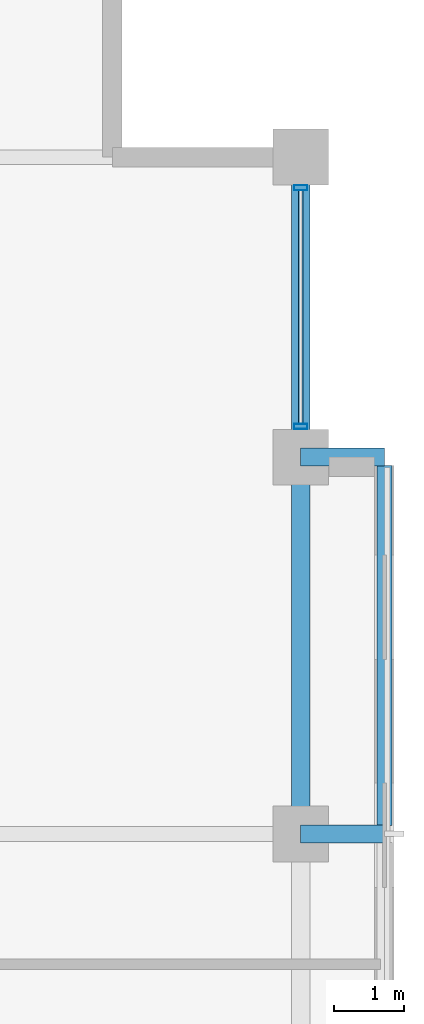
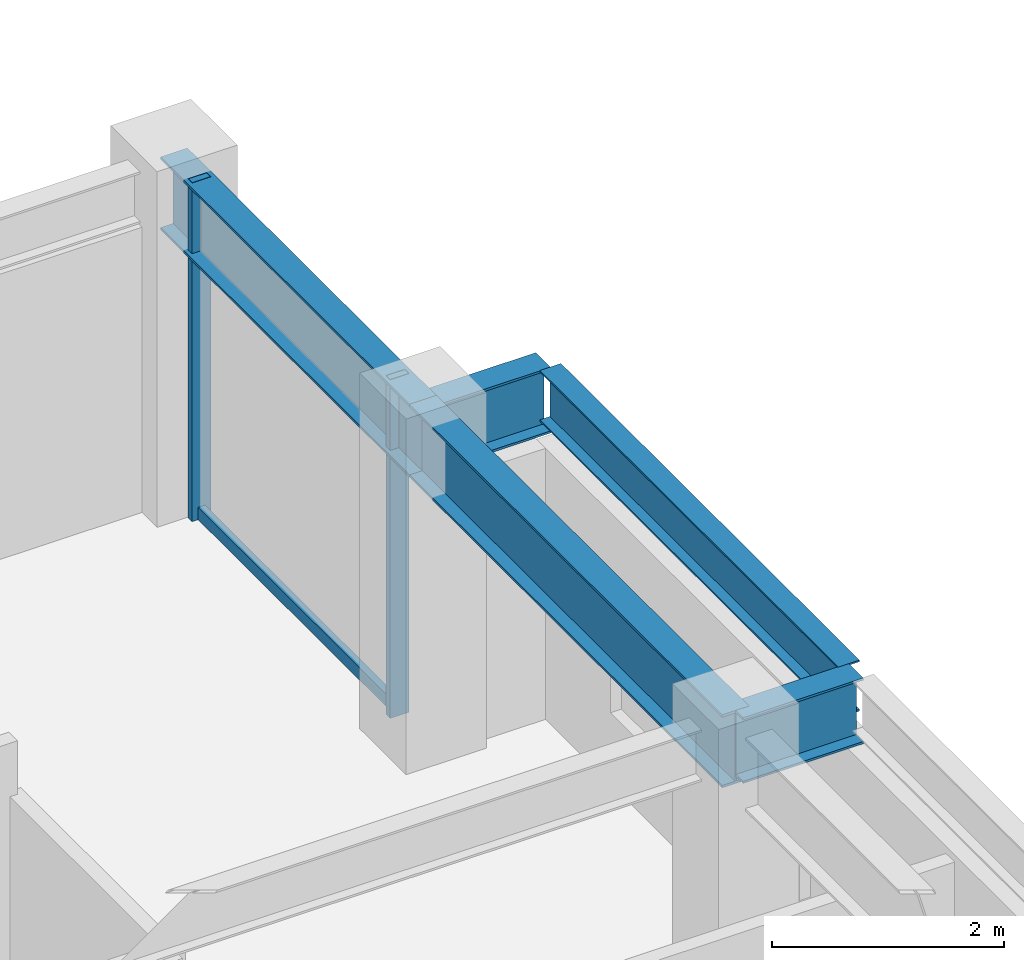
# One storey, part 22 of 30: 5 beams, 3 members, 1 element without a shape of its own.
"""IFC4 building model written with IfcOpenShell, lengths in metres."""

from ifc_helpers import new_model, si_unit, direction, frame, origin, origin_2d, place, context, subcontext, project, spatial, hollow_rectangle, i_section, extrude, material, layer, layer_set, material_profile, profile_set, type_object, element, aggregate, save


model = new_model("IFC4")

# Units and contexts
model_context = context("Model", 3, precision=1e-05, world=origin(), true_north=direction((0.0, 1.0)))
body_context = subcontext(model_context, "Body", "Model", "MODEL_VIEW")
ifc_project = project(units=[si_unit("LENGTHUNIT", "METRE"), si_unit("AREAUNIT", "SQUARE_METRE"), si_unit("VOLUMEUNIT", "CUBIC_METRE"), si_unit("PLANEANGLEUNIT", "RADIAN"), si_unit("MASSUNIT", "GRAM", prefix="KILO")], contexts=[model_context])

# Site, building, storey
site_placement = place(None, origin())
site = spatial("IfcSite", under=ifc_project, at=site_placement, CompositionType="ELEMENT")
building_placement = place(site_placement, origin())
building = spatial("IfcBuilding", under=site, at=building_placement, Name="Surkhivell Harbour Commons", CompositionType="ELEMENT")
storey_placement = place(building_placement, frame((0.0, 0.0, 231.0)))
storey = spatial("IfcBuildingStorey", under=building, at=storey_placement, Name="L60", CompositionType="ELEMENT", Elevation=231.0)

# Beams
ifc_material_1 = material(Name="Steel S460", Category="steel")
ifc_material_profile_1 = material_profile(ifc_material_1, i_section(OverallWidth=0.256103515625, OverallDepth=0.693115234375, WebThickness=0.014404296875, FlangeThickness=0.023681640625, at=origin_2d()), Name="UB686x254x170")
ifc_profile_set_1 = profile_set([ifc_material_profile_1], Name="Steel S460")
beam_type_1 = type_object("IfcBeamType", Name="BM-CNT-686", PredefinedType="BEAM", material=ifc_profile_set_1)
for number, where, z_axis, x_axis, name in (
    (1, (21.60009765625, 10.800048828125, 3.223388671875), (1.0, 0.0, 0.0), (0.0, 1.0, 0.0), "L60 Box Cantilever Outrigger (21.6,10.8)"),
    (2, (21.60009765625, 16.199951171875, 3.223388671875), (1.0, 0.0, 0.0), (0.0, 1.0, 0.0), "L60 Box Cantilever Outrigger (21.6,16.2)"),
):
    element("IfcBeam", number, at=place(storey_placement, frame(where, z_axis=z_axis, x_axis=x_axis)), inside=storey, type_object=beam_type_1, Name=name, PredefinedType="BEAM", context=body_context, shape_type="SweptSolid", body=[
        extrude(i_section(OverallWidth=0.256103515625, OverallDepth=0.693115234375, WebThickness=0.014404296875, FlangeThickness=0.023681640625, at=origin_2d()), origin(), (0.0, 0.0, 1.0), 1.199951171875),
    ])
ifc_material_2 = material(Name="Steel S355", Category="steel")
ifc_material_profile_2 = material_profile(ifc_material_2, i_section(OverallWidth=0.2099609375, OverallDepth=0.537109375, WebThickness=0.0107421875, FlangeThickness=0.017333984375, at=origin_2d()), Name="UB533x210x101")
ifc_profile_set_2 = profile_set([ifc_material_profile_2], Name="Steel S355")
beam_type_2 = type_object("IfcBeamType", Name="BM-GRD-533B", PredefinedType="BEAM", material=ifc_profile_set_2)
beam_1_placement = place(storey_placement, frame((22.800048828125, 10.922119140625, 3.301513671875), z_axis=(0.0, 1.0, 0.0), x_axis=(-1.0, 0.0, 0.0)))
element("IfcBeam", 3, at=beam_1_placement, inside=storey, type_object=beam_type_2, Name="L60 Box Rim Spandrel (22.8,10.8)", PredefinedType="BEAM", context=body_context, shape_type="SweptSolid", body=[
    extrude(i_section(OverallWidth=0.2099609375, OverallDepth=0.537109375, WebThickness=0.0107421875, FlangeThickness=0.017333984375, at=origin_2d()), origin(), (0.0, 0.0, 1.0), 5.15576171875),
])
ifc_material_profile_3 = material_profile(ifc_material_2, i_section(OverallWidth=0.26806640625, OverallDepth=0.77001953125, WebThickness=0.015625, FlangeThickness=0.025390625, at=origin_2d()), Name="UB762x267x197")
ifc_profile_set_3 = profile_set([ifc_material_profile_3], Name="Steel S355")
beam_type_3 = type_object("IfcBeamType", Name="BM-SPN-762", PredefinedType="SPANDREL", material=ifc_profile_set_3)
beam_2_placement = place(storey_placement, frame((21.60009765625, 10.800048828125, 3.18505859375), z_axis=(0.0, 1.0, 0.0), x_axis=(-1.0, 0.0, 0.0)))
element("IfcBeam", 4, at=beam_2_placement, inside=storey, type_object=beam_type_3, Name="L60 Tube Spandrel (21.6,10.8)", PredefinedType="SPANDREL", context=body_context, shape_type="SweptSolid", body=[
    extrude(i_section(OverallWidth=0.26806640625, OverallDepth=0.77001953125, WebThickness=0.015625, FlangeThickness=0.025390625, at=origin_2d()), origin(), (0.0, 0.0, 1.0), 5.39990234375),
])
beam_3_placement = place(storey_placement, frame((21.60009765625, 16.199951171875, 3.18505859375), z_axis=(0.0, 1.0, 0.0), x_axis=(-1.0, 0.0, 0.0)))
element("IfcBeam", 5, at=beam_3_placement, inside=storey, type_object=beam_type_3, Name="L60 Tube Spandrel (21.6,16.2)", PredefinedType="SPANDREL", context=body_context, shape_type="SweptSolid", body=[
    extrude(i_section(OverallWidth=0.26806640625, OverallDepth=0.77001953125, WebThickness=0.015625, FlangeThickness=0.025390625, at=origin_2d()), origin(), (0.0, 0.0, 1.0), 4.300048828125),
])

# Curtain wall, members
ifc_material_3 = material(Name="Anodised pale-metal aluminium and insulated glazing", Category="aluminium")
ifc_layer = layer(ifc_material_3, 0.18994140625)
ifc_layer_set = layer_set([ifc_layer], Name="Anodised pale-metal aluminium and insulated glazing")
curtain_wall_type = type_object("IfcCurtainWallType", Name="CW-SYS-Z3", PredefinedType="NOTDEFINED", material=ifc_layer_set)
curtain_wall_placement = place(storey_placement, origin())
curtain_wall = element("IfcCurtainWall", 6, at=curtain_wall_placement, inside=storey, type_object=curtain_wall_type, Name="L60 Curtain Wall CW-L60-E02R2", PredefinedType="NOTDEFINED")
ifc_material_4 = material(Name="Anodised pale-metal aluminium alloy 6063-T6", Category="aluminium")
ifc_material_profile_4 = material_profile(ifc_material_4, hollow_rectangle(XDim=0.074951171875, YDim=0.18994140625, WallThickness=0.00390625, at=origin_2d()), Name="ALU-MULL-75x190")
ifc_profile_set_4 = profile_set([ifc_material_profile_4], Name="Anodised pale-metal aluminium alloy 6063-T6")
member_type_1 = type_object("IfcMemberType", Name="CWM-190", PredefinedType="MULLION", material=ifc_profile_set_4)
member_1_placement = place(storey_placement, frame((21.60009765625, 16.639404296875, 0.0), z_axis=(0.0, 0.0, 1.0), x_axis=(0.0, 1.0, 0.0)))
member_1 = element("IfcMember", 7, at=member_1_placement, type_object=member_type_1, Name="CW-Z3 mullion 1", PredefinedType="MULLION", context=body_context, shape_type="SweptSolid", body=[
    extrude(hollow_rectangle(XDim=0.074951171875, YDim=0.18994140625, WallThickness=0.00390625, at=origin_2d()), origin(), (0.0, 0.0, 1.0), 3.570068359375),
])
member_2_placement = place(storey_placement, frame((21.60009765625, 20.060546875, 0.0), z_axis=(0.0, 0.0, 1.0), x_axis=(0.0, 1.0, 0.0)))
member_2 = element("IfcMember", 8, at=member_2_placement, type_object=member_type_1, Name="CW-Z3 mullion 2", PredefinedType="MULLION", context=body_context, shape_type="SweptSolid", body=[
    extrude(hollow_rectangle(XDim=0.074951171875, YDim=0.18994140625, WallThickness=0.00390625, at=origin_2d()), origin(), (0.0, 0.0, 1.0), 3.570068359375),
])
ifc_material_5 = material(Name="Champagne anodised aluminium alloy 6063-T6", Category="aluminium")
ifc_material_profile_5 = material_profile(ifc_material_5, hollow_rectangle(XDim=0.070068359375, YDim=0.1298828125, WallThickness=0.00341796875, at=origin_2d()), Name="ALU-TRAN-70x130")
ifc_profile_set_5 = profile_set([ifc_material_profile_5], Name="Champagne anodised aluminium alloy 6063-T6")
member_type_2 = type_object("IfcMemberType", Name="CWT-130", PredefinedType="USERDEFINED", material=ifc_profile_set_5)
member_3_placement = place(storey_placement, frame((21.60009765625, 16.677001953125, 0.06494140625), z_axis=(0.0, 1.0, 0.0), x_axis=(-1.0, 0.0, 0.0)))
member_3 = element("IfcMember", 9, at=member_3_placement, type_object=member_type_2, Name="CW-Z3 transom 1.1", ObjectType="TRANSOM", PredefinedType="USERDEFINED", context=body_context, shape_type="SweptSolid", body=[
    extrude(hollow_rectangle(XDim=0.070068359375, YDim=0.1298828125, WallThickness=0.00341796875, at=origin_2d()), origin(), (0.0, 0.0, 1.0), 3.345947265625),
])
aggregate(curtain_wall, [member_1, member_2, member_3])

save(model, "model.ifc")
